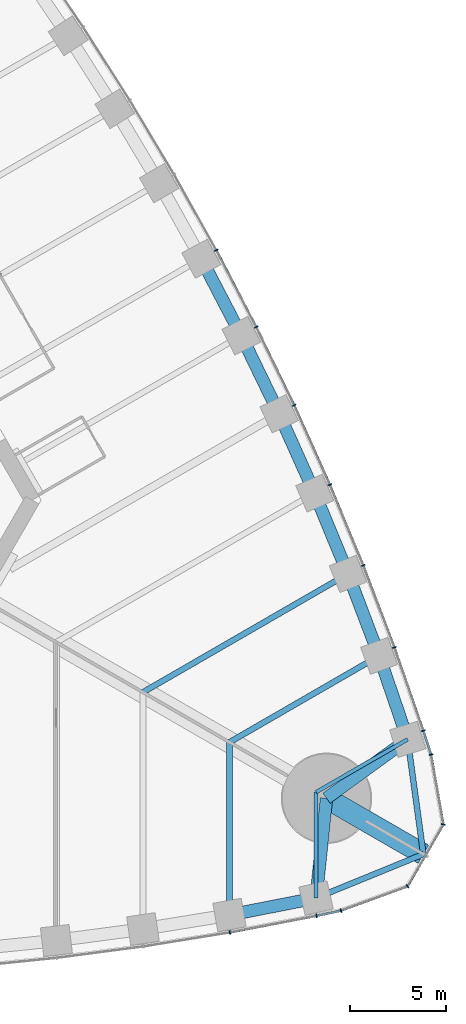
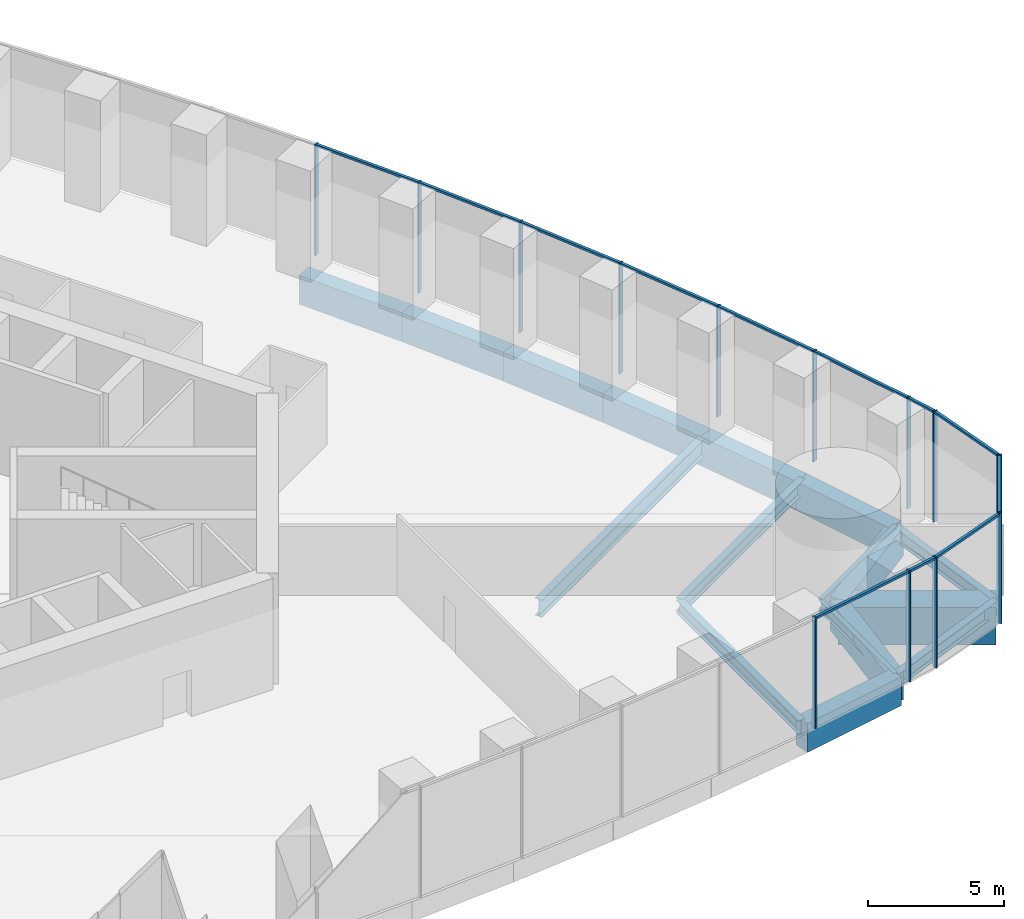
# One storey, part 11 of 21: 25 members, 17 beams, 3 elements without a shape of their own.
"""IFC4 building model written with IfcOpenShell, lengths in metres."""

from ifc_helpers import new_model, si_unit, direction, frame, origin, origin_2d, place, context, subcontext, project, spatial, rectangle, i_section, extrude, material, material_profile, profile_set, type_object, element, aggregate, save


model = new_model("IFC4")

# Units and contexts
model_context = context("Model", 3, precision=1e-05, world=origin(), true_north=direction((0.0, 1.0)))
body_context = subcontext(model_context, "Body", "Model", "MODEL_VIEW")
ifc_project = project(units=[si_unit("LENGTHUNIT", "METRE"), si_unit("AREAUNIT", "SQUARE_METRE"), si_unit("VOLUMEUNIT", "CUBIC_METRE"), si_unit("PLANEANGLEUNIT", "RADIAN"), si_unit("MASSUNIT", "GRAM", prefix="KILO")], contexts=[model_context])

# Site, building, storey
site_placement = place(None, origin())
site = spatial("IfcSite", under=ifc_project, at=site_placement, CompositionType="ELEMENT")
building_placement = place(site_placement, origin())
building = spatial("IfcBuilding", under=site, at=building_placement, Name="Trefoil Bronze Tower", CompositionType="ELEMENT")
storey_placement = place(building_placement, frame((0.0, 0.0, 11.5)))
storey = spatial("IfcBuildingStorey", under=building, at=storey_placement, Name="L02", CompositionType="ELEMENT", Elevation=11.5)

# Curtain wall, members
ifc_material_1 = material(Name="Tinted solar-control glass", Category="glass")
curtain_wall_type_1 = type_object("IfcCurtainWallType", Name="Bronze podium storefront curtain wall", PredefinedType="USERDEFINED", material=ifc_material_1)
curtain_wall_1_placement = place(storey_placement, origin())
curtain_wall_1 = element("IfcCurtainWall", 1, at=curtain_wall_1_placement, inside=storey, type_object=curtain_wall_type_1, Name="CW-C L02 F1", ObjectType="CURTAIN WALL", PredefinedType="USERDEFINED")
ifc_material_2 = material(Name="Bronze-finish aluminium", Category="aluminium")
ifc_material_profile_1 = material_profile(ifc_material_2, rectangle(XDim=0.199951171875, YDim=0.06005859375, at=origin_2d()), Name="CW-C mullion")
ifc_profile_set_1 = profile_set([ifc_material_profile_1], Name="Bronze-finish aluminium")
member_type_1 = type_object("IfcMemberType", Name="Bronze podium storefront curtain wall mullion", PredefinedType="MULLION", material=ifc_profile_set_1)
member_1_placement = place(storey_placement, frame((27.017333984375, -25.478759765625, 0.0), z_axis=(0.0, 0.0, 1.0), x_axis=(-0.174131146426, 0.984722470468, 0.0)))
member_1 = element("IfcMember", 2, at=member_1_placement, type_object=member_type_1, Name="CW-C L02 F1 mullion 15", PredefinedType="MULLION", context=body_context, shape_type="SweptSolid", body=[
    extrude(rectangle(XDim=0.199951171875, YDim=0.06005859375, at=origin_2d()), origin(), (0.0, 0.0, 1.0), 4.97998046875),
])
member_2_placement = place(storey_placement, frame((31.519775390625, -24.614013671875, 0.0), z_axis=(0.0, 0.0, 1.0), x_axis=(-0.197910006829, 0.98022019424, 0.0)))
member_2 = element("IfcMember", 3, at=member_2_placement, type_object=member_type_1, Name="CW-C L02 F1 mullion 16", PredefinedType="MULLION", context=body_context, shape_type="SweptSolid", body=[
    extrude(rectangle(XDim=0.199951171875, YDim=0.06005859375, at=origin_2d()), origin(), (0.0, 0.0, 1.0), 4.97998046875),
])

curtain_wall_2_placement = place(storey_placement, origin())
curtain_wall_2 = element("IfcCurtainWall", 4, at=curtain_wall_2_placement, inside=storey, type_object=curtain_wall_type_1, Name="CW-C L02 F2", ObjectType="CURTAIN WALL", PredefinedType="USERDEFINED")
member_3_placement = place(storey_placement, frame((37.076416015625, -14.989990234375, 0.0), z_axis=(0.0, 0.0, 1.0), x_axis=(-0.947850592929, -0.318715003543, 0.0)))
member_3 = element("IfcMember", 5, at=member_3_placement, type_object=member_type_1, Name="CW-C L02 F2 mullion 2", PredefinedType="MULLION", context=body_context, shape_type="SweptSolid", body=[
    extrude(rectangle(XDim=0.199951171875, YDim=0.06005859375, at=origin_2d()), origin(), (0.0, 0.0, 1.0), 4.97998046875),
])
member_4_placement = place(storey_placement, frame((35.573974609375, -10.658447265625, 0.0), z_axis=(0.0, 0.0, 1.0), x_axis=(-0.939860248316, -0.341559238839, 0.0)))
member_4 = element("IfcMember", 6, at=member_4_placement, type_object=member_type_1, Name="CW-C L02 F2 mullion 3", PredefinedType="MULLION", context=body_context, shape_type="SweptSolid", body=[
    extrude(rectangle(XDim=0.199951171875, YDim=0.06005859375, at=origin_2d()), origin(), (0.0, 0.0, 1.0), 4.97998046875),
])
member_5_placement = place(storey_placement, frame((33.953125, -6.394775390625, 0.0), z_axis=(0.0, 0.0, 1.0), x_axis=(-0.929413605838, -0.369039766534, 0.0)))
member_5 = element("IfcMember", 7, at=member_5_placement, type_object=member_type_1, Name="CW-C L02 F2 mullion 4", PredefinedType="MULLION", context=body_context, shape_type="SweptSolid", body=[
    extrude(rectangle(XDim=0.199951171875, YDim=0.06005859375, at=origin_2d()), origin(), (0.0, 0.0, 1.0), 4.97998046875),
])
member_6_placement = place(storey_placement, frame((32.21533203125, -2.198486328125, 0.0), z_axis=(0.0, 0.0, 1.0), x_axis=(-0.918213748442, -0.396085233469, 0.0)))
member_6 = element("IfcMember", 8, at=member_6_placement, type_object=member_type_1, Name="CW-C L02 F2 mullion 5", PredefinedType="MULLION", context=body_context, shape_type="SweptSolid", body=[
    extrude(rectangle(XDim=0.199951171875, YDim=0.06005859375, at=origin_2d()), origin(), (0.0, 0.0, 1.0), 4.97998046875),
])
member_7_placement = place(storey_placement, frame((30.36181640625, 1.930908203125, 0.0), z_axis=(0.0, 0.0, 1.0), x_axis=(-0.906269346572, -0.422700687798, 0.0)))
member_7 = element("IfcMember", 9, at=member_7_placement, type_object=member_type_1, Name="CW-C L02 F2 mullion 6", PredefinedType="MULLION", context=body_context, shape_type="SweptSolid", body=[
    extrude(rectangle(XDim=0.199951171875, YDim=0.06005859375, at=origin_2d()), origin(), (0.0, 0.0, 1.0), 4.97998046875),
])
member_8_placement = place(storey_placement, frame((28.39404296875, 5.994384765625, 0.0), z_axis=(0.0, 0.0, 1.0), x_axis=(-0.893587025891, -0.448889994497, 0.0)))
member_8 = element("IfcMember", 10, at=member_8_placement, type_object=member_type_1, Name="CW-C L02 F2 mullion 7", PredefinedType="MULLION", context=body_context, shape_type="SweptSolid", body=[
    extrude(rectangle(XDim=0.199951171875, YDim=0.06005859375, at=origin_2d()), origin(), (0.0, 0.0, 1.0), 4.97998046875),
])
member_9_placement = place(storey_placement, frame((26.3125, 9.991943359375, 0.0), z_axis=(0.0, 0.0, 1.0), x_axis=(-0.880171454588, -0.474655886437, 0.0)))
member_9 = element("IfcMember", 11, at=member_9_placement, type_object=member_type_1, Name="CW-C L02 F2 mullion 8", PredefinedType="MULLION", context=body_context, shape_type="SweptSolid", body=[
    extrude(rectangle(XDim=0.199951171875, YDim=0.06005859375, at=origin_2d()), origin(), (0.0, 0.0, 1.0), 4.97998046875),
])

# Member
ifc_material_3 = material(Name="Bronze-finish aluminium", Category="aluminium")
ifc_material_profile_2 = material_profile(ifc_material_3, rectangle(XDim=0.1201171875, YDim=0.10009765625, at=origin_2d()), Name="CW-C transom")
ifc_profile_set_2 = profile_set([ifc_material_profile_2], Name="Bronze-finish aluminium")
member_type_2 = type_object("IfcMemberType", Name="Bronze podium storefront curtain wall transom", PredefinedType="USERDEFINED", material=ifc_profile_set_2)
member_10_placement = place(storey_placement, frame((27.04833984375, -25.472900390625, 4.929931640625), z_axis=(0.982049163512, 0.18862513206, 0.0), x_axis=(-0.18862513206, 0.982049163512, 0.0)))
member_10 = element("IfcMember", 12, at=member_10_placement, type_object=member_type_2, Name="CW-C L02 F1 transom 15", ObjectType="TRANSOM", PredefinedType="USERDEFINED", context=body_context, shape_type="SweptSolid", body=[
    extrude(rectangle(XDim=0.1201171875, YDim=0.10009765625, at=origin_2d()), origin(), (0.0, 0.0, 1.0), 4.5224609375),
])

member_11_placement = place(storey_placement, frame((31.550048828125, -24.607666015625, 4.929931640625), z_axis=(0.978304864549, 0.207170441905, 0.0), x_axis=(-0.207170441905, 0.978304864549, 0.0)))
member_11 = element("IfcMember", 13, at=member_11_placement, type_object=member_type_2, Name="CW-C L02 F1 transom 16", ObjectType="TRANSOM", PredefinedType="USERDEFINED", context=body_context, shape_type="SweptSolid", body=[
    extrude(rectangle(XDim=0.1201171875, YDim=0.10009765625, at=origin_2d()), origin(), (0.0, 0.0, 1.0), 1.230224609375),
])

aggregate(curtain_wall_1, [member_1, member_2, member_10, member_11])

member_12_placement = place(storey_placement, frame((37.467041015625, -16.189208984375, 4.929931640625), z_axis=(-0.309732068556, 0.950823877334, 0.0), x_axis=(-0.950823877334, -0.309732068556, 0.0)))
member_12 = element("IfcMember", 14, at=member_12_placement, type_object=member_type_2, Name="CW-C L02 F2 transom 1", ObjectType="TRANSOM", PredefinedType="USERDEFINED", context=body_context, shape_type="SweptSolid", body=[
    extrude(rectangle(XDim=0.1201171875, YDim=0.10009765625, at=origin_2d()), origin(), (0.0, 0.0, 1.0), 1.23046875),
])

member_13_placement = place(storey_placement, frame((37.066162109375, -14.960693359375, 4.929931640625), z_axis=(-0.327638958875, 0.944803002021, 0.0), x_axis=(-0.944803002021, -0.327638958875, 0.0)))
member_13 = element("IfcMember", 15, at=member_13_placement, type_object=member_type_2, Name="CW-C L02 F2 transom 2", ObjectType="TRANSOM", PredefinedType="USERDEFINED", context=body_context, shape_type="SweptSolid", body=[
    extrude(rectangle(XDim=0.1201171875, YDim=0.10009765625, at=origin_2d()), origin(), (0.0, 0.0, 1.0), 4.522216796875),
])

member_14_placement = place(storey_placement, frame((35.562744140625, -10.62890625, 4.929931640625), z_axis=(-0.355324938334, 0.934742846026, 0.0), x_axis=(-0.934742846026, -0.355324938334, 0.0)))
member_14 = element("IfcMember", 16, at=member_14_placement, type_object=member_type_2, Name="CW-C L02 F2 transom 3", ObjectType="TRANSOM", PredefinedType="USERDEFINED", context=body_context, shape_type="SweptSolid", body=[
    extrude(rectangle(XDim=0.1201171875, YDim=0.10009765625, at=origin_2d()), origin(), (0.0, 0.0, 1.0), 4.498291015625),
])

member_15_placement = place(storey_placement, frame((33.94091796875, -6.36572265625, 4.929931640625), z_axis=(-0.382594106546, 0.923916527418, 0.0), x_axis=(-0.923916527418, -0.382594106546, 0.0)))
member_15 = element("IfcMember", 17, at=member_15_placement, type_object=member_type_2, Name="CW-C L02 F2 transom 4", ObjectType="TRANSOM", PredefinedType="USERDEFINED", context=body_context, shape_type="SweptSolid", body=[
    extrude(rectangle(XDim=0.1201171875, YDim=0.10009765625, at=origin_2d()), origin(), (0.0, 0.0, 1.0), 4.47900390625),
])

member_16_placement = place(storey_placement, frame((32.202392578125, -2.169921875, 4.929931640625), z_axis=(-0.409454767225, 0.91233041909, 0.0), x_axis=(-0.91233041909, -0.409454767225, 0.0)))
member_16 = element("IfcMember", 18, at=member_16_placement, type_object=member_type_2, Name="CW-C L02 F2 transom 5", ObjectType="TRANSOM", PredefinedType="USERDEFINED", context=body_context, shape_type="SweptSolid", body=[
    extrude(rectangle(XDim=0.1201171875, YDim=0.10009765625, at=origin_2d()), origin(), (0.0, 0.0, 1.0), 4.463623046875),
])

member_17_placement = place(storey_placement, frame((30.34814453125, 1.959228515625, 4.929931640625), z_axis=(-0.435859049912, 0.900014937992, 0.0), x_axis=(-0.900014937992, -0.435859049912, 0.0)))
member_17 = element("IfcMember", 19, at=member_17_placement, type_object=member_type_2, Name="CW-C L02 F2 transom 6", ObjectType="TRANSOM", PredefinedType="USERDEFINED", context=body_context, shape_type="SweptSolid", body=[
    extrude(rectangle(XDim=0.1201171875, YDim=0.10009765625, at=origin_2d()), origin(), (0.0, 0.0, 1.0), 4.451904296875),
])

member_18_placement = place(storey_placement, frame((28.379638671875, 6.022216796875, 4.929931640625), z_axis=(-0.461831786888, 0.886967530759, 0.0), x_axis=(-0.886967530759, -0.461831786888, 0.0)))
member_18 = element("IfcMember", 20, at=member_18_placement, type_object=member_type_2, Name="CW-C L02 F2 transom 7", ObjectType="TRANSOM", PredefinedType="USERDEFINED", context=body_context, shape_type="SweptSolid", body=[
    extrude(rectangle(XDim=0.1201171875, YDim=0.10009765625, at=origin_2d()), origin(), (0.0, 0.0, 1.0), 4.4443359375),
])

aggregate(curtain_wall_2, [member_3, member_4, member_5, member_6, member_7, member_8, member_9, member_12, member_13, member_14, member_15, member_16, member_17, member_18])

# Curtain wall, members
ifc_material_4 = material(Name="Tinted solar-control glass", Category="glass")
curtain_wall_type_2 = type_object("IfcCurtainWallType", Name="Bronze rounded corner curtain wall", PredefinedType="USERDEFINED", material=ifc_material_4)
curtain_wall_3_placement = place(storey_placement, origin())
curtain_wall_3 = element("IfcCurtainWall", 21, at=curtain_wall_3_placement, inside=storey, type_object=curtain_wall_type_2, Name="CW-B L02 K1", ObjectType="CURTAIN WALL", PredefinedType="USERDEFINED")
ifc_material_5 = material(Name="Bronze-finish aluminium", Category="aluminium")
ifc_material_profile_3 = material_profile(ifc_material_5, rectangle(XDim=0.199951171875, YDim=0.06005859375, at=origin_2d()), Name="CW-B mullion")
ifc_profile_set_3 = profile_set([ifc_material_profile_3], Name="Bronze-finish aluminium")
member_type_3 = type_object("IfcMemberType", Name="Bronze rounded corner curtain wall mullion", PredefinedType="MULLION", material=ifc_profile_set_3)
member_19_placement = place(storey_placement, frame((32.796630859375, -24.3427734375, 0.0), z_axis=(0.0, 0.0, 1.0), x_axis=(-0.342020143326, 0.939692620786, 0.0)))
member_19 = element("IfcMember", 22, at=member_19_placement, type_object=member_type_3, Name="CW-B L02 K1 mullion 1", PredefinedType="MULLION", context=body_context, shape_type="SweptSolid", body=[
    extrude(rectangle(XDim=0.199951171875, YDim=0.06005859375, at=origin_2d()), origin(), (0.0, 0.0, 1.0), 4.97998046875),
])
member_20_placement = place(storey_placement, frame((36.2548828125, -23.07763671875, 0.0), z_axis=(0.0, 0.0, 1.0), x_axis=(-0.642787609687, 0.766044443119, 0.0)))
member_20 = element("IfcMember", 23, at=member_20_placement, type_object=member_type_3, Name="CW-B L02 K1 mullion 2", PredefinedType="MULLION", context=body_context, shape_type="SweptSolid", body=[
    extrude(rectangle(XDim=0.199951171875, YDim=0.06005859375, at=origin_2d()), origin(), (0.0, 0.0, 1.0), 4.97998046875),
])
member_21_placement = place(storey_placement, frame((38.11328125, -19.85888671875, 0.0), z_axis=(0.0, 0.0, 1.0), x_axis=(-0.984807753012, 0.173648177667, 0.0)))
member_21 = element("IfcMember", 24, at=member_21_placement, type_object=member_type_3, Name="CW-B L02 K1 mullion 3", PredefinedType="MULLION", context=body_context, shape_type="SweptSolid", body=[
    extrude(rectangle(XDim=0.199951171875, YDim=0.06005859375, at=origin_2d()), origin(), (0.0, 0.0, 1.0), 4.97998046875),
])
member_22_placement = place(storey_placement, frame((37.479736328125, -16.2314453125, 0.0), z_axis=(0.0, 0.0, 1.0), x_axis=(-0.984807753012, -0.173648177667, 0.0)))
member_22 = element("IfcMember", 25, at=member_22_placement, type_object=member_type_3, Name="CW-B L02 K1 mullion 4", PredefinedType="MULLION", context=body_context, shape_type="SweptSolid", body=[
    extrude(rectangle(XDim=0.199951171875, YDim=0.06005859375, at=origin_2d()), origin(), (0.0, 0.0, 1.0), 4.97998046875),
])
ifc_material_6 = material(Name="Bronze-finish aluminium", Category="aluminium")
ifc_material_profile_4 = material_profile(ifc_material_6, rectangle(XDim=0.1201171875, YDim=0.10009765625, at=origin_2d()), Name="CW-B transom")
ifc_profile_set_4 = profile_set([ifc_material_profile_4], Name="Bronze-finish aluminium")
member_type_4 = type_object("IfcMemberType", Name="Bronze rounded corner curtain wall transom", PredefinedType="USERDEFINED", material=ifc_profile_set_4)
member_23_placement = place(storey_placement, frame((32.82470703125, -24.33251953125, 4.929931640625), z_axis=(0.939688092095, 0.342032585545, 0.0), x_axis=(-0.342032585545, 0.939688092095, 0.0)))
member_23 = element("IfcMember", 26, at=member_23_placement, type_object=member_type_4, Name="CW-B L02 K1 transom 1", ObjectType="TRANSOM", PredefinedType="USERDEFINED", context=body_context, shape_type="SweptSolid", body=[
    extrude(rectangle(XDim=0.1201171875, YDim=0.10009765625, at=origin_2d()), origin(), (0.0, 0.0, 1.0), 3.588134765625),
])
member_24_placement = place(storey_placement, frame((36.292236328125, -23.02490234375, 4.929931640625), z_axis=(0.500024788772, 0.866011091507, 0.0), x_axis=(-0.866011091507, 0.500024788772, 0.0)))
member_24 = element("IfcMember", 27, at=member_24_placement, type_object=member_type_4, Name="CW-B L02 K1 transom 2", ObjectType="TRANSOM", PredefinedType="USERDEFINED", context=body_context, shape_type="SweptSolid", body=[
    extrude(rectangle(XDim=0.1201171875, YDim=0.10009765625, at=origin_2d()), origin(), (0.0, 0.0, 1.0), 3.588134765625),
])
member_25_placement = place(storey_placement, frame((38.10791015625, -19.794677734375, 4.929931640625), z_axis=(-0.17363783606, 0.984809576461, 0.0), x_axis=(-0.984809576461, -0.17363783606, 0.0)))
member_25 = element("IfcMember", 28, at=member_25_placement, type_object=member_type_4, Name="CW-B L02 K1 transom 3", ObjectType="TRANSOM", PredefinedType="USERDEFINED", context=body_context, shape_type="SweptSolid", body=[
    extrude(rectangle(XDim=0.1201171875, YDim=0.10009765625, at=origin_2d()), origin(), (0.0, 0.0, 1.0), 3.588134765625),
])
aggregate(curtain_wall_3, [member_19, member_20, member_21, member_22, member_23, member_24, member_25])

# Beams
ifc_material_7 = material(Name="Concrete B80", Category="concrete")
ifc_material_profile_5 = material_profile(ifc_material_7, rectangle(XDim=1.10009765625, YDim=1.699951171875, at=origin_2d()), Name="RC 1100x1700")
ifc_profile_set_5 = profile_set([ifc_material_profile_5], Name="Concrete B80")
beam_type_1 = type_object("IfcBeamType", Name="Corner cantilever RC 1100x1700", PredefinedType="BEAM", material=ifc_profile_set_5)
beam_1_placement = place(storey_placement, frame((32.04296875, -18.5, -1.050048828125), z_axis=(0.866030348588, -0.499991435252, 0.0), x_axis=(0.499991435252, 0.866030348588, 0.0)))
element("IfcBeam", 29, at=beam_1_placement, inside=storey, type_object=beam_type_1, Name="Corner cantilever K1 L02", PredefinedType="BEAM", context=body_context, shape_type="SweptSolid", body=[
    extrude(rectangle(XDim=1.10009765625, YDim=1.699951171875, at=origin_2d()), origin(), (0.0, 0.0, 1.0), 5.81396484375),
])
ifc_material_8 = material(Name="Steel C355", Category="steel")
ifc_material_profile_6 = material_profile(ifc_material_8, i_section(OverallWidth=0.300048828125, OverallDepth=0.60009765625, WebThickness=0.015380859375, FlangeThickness=0.030029296875, FilletRadius=0.027099609375, at=origin_2d()), Name="HEB 600")
ifc_profile_set_6 = profile_set([ifc_material_profile_6], Name="Steel C355")
beam_type_2 = type_object("IfcBeamType", Name="Corner edge beam HEB 600", PredefinedType="BEAM", material=ifc_profile_set_6)
beam_2_placement = place(storey_placement, frame((31.5, -23.684814453125, -0.5), z_axis=(0.925786874353, 0.378045848114, 0.0), x_axis=(-0.378045848114, 0.925786874353, 0.0)))
element("IfcBeam", 30, at=beam_2_placement, inside=storey, type_object=beam_type_2, Name="Corner edge beam F1A L02", PredefinedType="BEAM", context=body_context, shape_type="SweptSolid", body=[
    extrude(i_section(OverallWidth=0.300048828125, OverallDepth=0.60009765625, WebThickness=0.015380859375, FlangeThickness=0.030029296875, FilletRadius=0.027099609375, at=origin_2d()), origin(), (0.0, 0.0, 1.0), 6.025390625),
])
beam_3_placement = place(storey_placement, frame((36.26171875, -15.4375, -0.5), z_axis=(0.13550196505, -0.990777077585, 0.0), x_axis=(0.990777077585, 0.13550196505, 0.0)))
element("IfcBeam", 31, at=beam_3_placement, inside=storey, type_object=beam_type_2, Name="Corner edge beam F2B L02", PredefinedType="BEAM", context=body_context, shape_type="SweptSolid", body=[
    extrude(i_section(OverallWidth=0.300048828125, OverallDepth=0.60009765625, WebThickness=0.015380859375, FlangeThickness=0.030029296875, FilletRadius=0.027099609375, at=origin_2d()), origin(), (0.0, 0.0, 1.0), 6.025146484375),
])
ifc_material_9 = material(Name="Concrete B80", Category="concrete")
ifc_material_profile_7 = material_profile(ifc_material_9, rectangle(XDim=0.64990234375, YDim=1.300048828125, at=origin_2d()), Name="RC 650x1300")
ifc_profile_set_7 = profile_set([ifc_material_profile_7], Name="Concrete B80")
beam_type_3 = type_object("IfcBeamType", Name="End spandrel beam RC 650x1300", PredefinedType="SPANDREL", material=ifc_profile_set_7)
for number, where, z_axis, x_axis, name in (
    (32, (31.5, -23.684814453125, -0.85009765625), (0.104153327908, 0.994561252154, 0.0), (-0.994561252154, 0.104153327908, 0.0), "Spandrel F1.16 L02"),
    (33, (32.04296875, -18.5, -0.85009765625), (0.809254211267, 0.587458612624, 0.0), (-0.587458612624, 0.809254211267, 0.0), "Spandrel F2.1 L02"),
):
    element("IfcBeam", number, at=place(storey_placement, frame(where, z_axis=z_axis, x_axis=x_axis)), inside=storey, type_object=beam_type_3, Name=name, PredefinedType="SPANDREL", context=body_context, shape_type="SweptSolid", body=[
        extrude(rectangle(XDim=0.64990234375, YDim=1.300048828125, at=origin_2d()), origin(), (0.0, 0.0, 1.0), 5.213134765625),
    ])
ifc_material_10 = material(Name="Steel C355", Category="steel")
ifc_material_profile_8 = material_profile(ifc_material_10, i_section(OverallWidth=0.300048828125, OverallDepth=0.60009765625, WebThickness=0.015380859375, FlangeThickness=0.030029296875, FilletRadius=0.027099609375, at=origin_2d()), Name="HEB 600")
ifc_profile_set_8 = profile_set([ifc_material_profile_8], Name="Steel C355")
beam_type_4 = type_object("IfcBeamType", Name="Floor beam HEB 600", PredefinedType="BEAM", material=ifc_profile_set_8)
for number, where, z_axis, x_axis, name in (
    (34, (27.0, -24.56787109375, -0.5), (0.0, 1.0, 0.0), (-1.0, 0.0, 0.0), "Floor beam F1/+6 L02"),
    (35, (34.7763671875, -11.0986328125, -0.5), (-0.866022587327, -0.500004878216, 0.0), (0.500004878216, -0.866022587327, 0.0), "Floor beam F2/-6 L02"),
):
    element("IfcBeam", number, at=place(storey_placement, frame(where, z_axis=z_axis, x_axis=x_axis)), inside=storey, type_object=beam_type_4, Name=name, PredefinedType="BEAM", context=body_context, shape_type="SweptSolid", body=[
        extrude(i_section(OverallWidth=0.300048828125, OverallDepth=0.60009765625, WebThickness=0.015380859375, FlangeThickness=0.030029296875, FilletRadius=0.027099609375, at=origin_2d()), origin(), (0.0, 0.0, 1.0), 8.9794921875),
    ])
ifc_material_11 = material(Name="Steel C355", Category="steel")
ifc_material_profile_9 = material_profile(ifc_material_11, i_section(OverallWidth=0.300048828125, OverallDepth=0.800048828125, WebThickness=0.017578125, FlangeThickness=0.032958984375, FilletRadius=0.030029296875, at=origin_2d()), Name="HEB 800")
ifc_profile_set_9 = profile_set([ifc_material_profile_9], Name="Steel C355")
beam_type_5 = type_object("IfcBeamType", Name="Floor beam HEB 800", PredefinedType="BEAM", material=ifc_profile_set_9)
beam_4_placement = place(storey_placement, frame((33.159912109375, -6.8359375, -0.60009765625), z_axis=(-0.866024070878, -0.500002308654, 0.0), x_axis=(0.500002308654, -0.866024070878, 0.0)))
element("IfcBeam", 36, at=beam_4_placement, inside=storey, type_object=beam_type_5, Name="Floor beam F2/-5 L02", PredefinedType="BEAM", context=body_context, shape_type="SweptSolid", body=[
    extrude(i_section(OverallWidth=0.300048828125, OverallDepth=0.800048828125, WebThickness=0.017578125, FlangeThickness=0.032958984375, FilletRadius=0.030029296875, at=origin_2d()), origin(), (0.0, 0.0, 1.0), 12.30908203125),
])
ifc_material_12 = material(Name="Steel C355", Category="steel")
ifc_material_profile_10 = material_profile(ifc_material_12, i_section(OverallWidth=0.199951171875, OverallDepth=0.5, WebThickness=0.01025390625, FlangeThickness=0.01611328125, FilletRadius=0.02099609375, at=origin_2d()), Name="IPE 500")
ifc_profile_set_10 = profile_set([ifc_material_profile_10], Name="Steel C355")
beam_type_6 = type_object("IfcBeamType", Name="Floor beam IPE 500", PredefinedType="BEAM", material=ifc_profile_set_10)
for number, where, z_axis, x_axis, name in (
    (37, (31.5, -23.684814453125, -0.449951171875), (0.0, 1.0, 0.0), (-1.0, 0.0, 0.0), "Floor beam F1/+7 L02"),
    (38, (36.26171875, -15.4375, -0.449951171875), (-0.866037702141, -0.499978698016, 0.0), (0.499978698016, -0.866037702141, 0.0), "Floor beam F2/-7 L02"),
):
    element("IfcBeam", number, at=place(storey_placement, frame(where, z_axis=z_axis, x_axis=x_axis)), inside=storey, type_object=beam_type_6, Name=name, PredefinedType="BEAM", context=body_context, shape_type="SweptSolid", body=[
        extrude(i_section(OverallWidth=0.199951171875, OverallDepth=0.5, WebThickness=0.01025390625, FlangeThickness=0.01611328125, FilletRadius=0.02099609375, at=origin_2d()), origin(), (0.0, 0.0, 1.0), 5.498291015625),
    ])
ifc_material_13 = material(Name="Concrete B80", Category="concrete")
ifc_material_profile_11 = material_profile(ifc_material_13, rectangle(XDim=0.64990234375, YDim=1.300048828125, at=origin_2d()), Name="RC 650x1300")
ifc_profile_set_11 = profile_set([ifc_material_profile_11], Name="Concrete B80")
beam_type_7 = type_object("IfcBeamType", Name="Spandrel beam RC 650x1300", PredefinedType="SPANDREL", material=ifc_profile_set_11)
beam_5_placement = place(storey_placement, frame((27.0, -24.56787109375, -0.85009765625), z_axis=(0.981284764092, 0.192562228283, 0.0), x_axis=(-0.192562228283, 0.981284764092, 0.0)))
element("IfcBeam", 39, at=beam_5_placement, inside=storey, type_object=beam_type_7, Name="Spandrel F1.15 L02", PredefinedType="SPANDREL", context=body_context, shape_type="SweptSolid", body=[
    extrude(rectangle(XDim=0.64990234375, YDim=1.300048828125, at=origin_2d()), origin(), (0.0, 0.0, 1.0), 4.5859375),
])
beam_6_placement = place(storey_placement, frame((36.26171875, -15.4375, -0.85009765625), z_axis=(-0.323883319148, 0.946097032855, 0.0), x_axis=(-0.946097032855, -0.323883319148, 0.0)))
element("IfcBeam", 40, at=beam_6_placement, inside=storey, type_object=beam_type_7, Name="Spandrel F2.2 L02", PredefinedType="SPANDREL", context=body_context, shape_type="SweptSolid", body=[
    extrude(rectangle(XDim=0.64990234375, YDim=1.300048828125, at=origin_2d()), origin(), (0.0, 0.0, 1.0), 4.586181640625),
])
beam_7_placement = place(storey_placement, frame((34.7763671875, -11.0986328125, -0.85009765625), z_axis=(-0.354571899767, 0.935028752443, 0.0), x_axis=(-0.935028752443, -0.354571899767, 0.0)))
element("IfcBeam", 41, at=beam_7_placement, inside=storey, type_object=beam_type_7, Name="Spandrel F2.3 L02", PredefinedType="SPANDREL", context=body_context, shape_type="SweptSolid", body=[
    extrude(rectangle(XDim=0.64990234375, YDim=1.300048828125, at=origin_2d()), origin(), (0.0, 0.0, 1.0), 4.558837890625),
])
beam_8_placement = place(storey_placement, frame((33.159912109375, -6.8359375, -0.85009765625), z_axis=(-0.382020825144, 0.924153715113, 0.0), x_axis=(-0.924153715113, -0.382020825144, 0.0)))
element("IfcBeam", 42, at=beam_8_placement, inside=storey, type_object=beam_type_7, Name="Spandrel F2.4 L02", PredefinedType="SPANDREL", context=body_context, shape_type="SweptSolid", body=[
    extrude(rectangle(XDim=0.64990234375, YDim=1.300048828125, at=origin_2d()), origin(), (0.0, 0.0, 1.0), 4.539306640625),
])
beam_9_placement = place(storey_placement, frame((31.42578125, -2.640869140625, -0.85009765625), z_axis=(-0.408945873044, 0.912558640812, 0.0), x_axis=(-0.912558640812, -0.408945873044, 0.0)))
element("IfcBeam", 43, at=beam_9_placement, inside=storey, type_object=beam_type_7, Name="Spandrel F2.5 L02", PredefinedType="SPANDREL", context=body_context, shape_type="SweptSolid", body=[
    extrude(rectangle(XDim=0.64990234375, YDim=1.300048828125, at=origin_2d()), origin(), (0.0, 0.0, 1.0), 4.5234375),
])
beam_10_placement = place(storey_placement, frame((29.575927734375, 1.487060546875, -0.85009765625), z_axis=(-0.435510013583, 0.900183885697, 0.0), x_axis=(-0.900183885697, -0.435510013583, 0.0)))
element("IfcBeam", 44, at=beam_10_placement, inside=storey, type_object=beam_type_7, Name="Spandrel F2.6 L02", PredefinedType="SPANDREL", context=body_context, shape_type="SweptSolid", body=[
    extrude(rectangle(XDim=0.64990234375, YDim=1.300048828125, at=origin_2d()), origin(), (0.0, 0.0, 1.0), 4.51220703125),
])
beam_11_placement = place(storey_placement, frame((27.61083984375, 5.548828125, -0.85009765625), z_axis=(-0.461637716615, 0.887068553495, 0.0), x_axis=(-0.887068553495, -0.461637716615, 0.0)))
element("IfcBeam", 45, at=beam_11_placement, inside=storey, type_object=beam_type_7, Name="Spandrel F2.7 L02", PredefinedType="SPANDREL", context=body_context, shape_type="SweptSolid", body=[
    extrude(rectangle(XDim=0.64990234375, YDim=1.300048828125, at=origin_2d()), origin(), (0.0, 0.0, 1.0), 4.50439453125),
])

save(model, "model.ifc")
